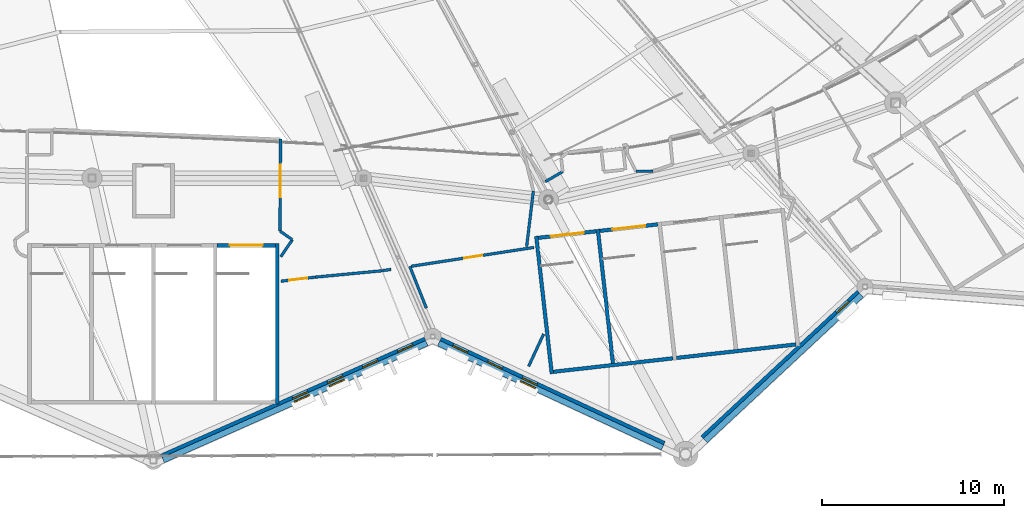
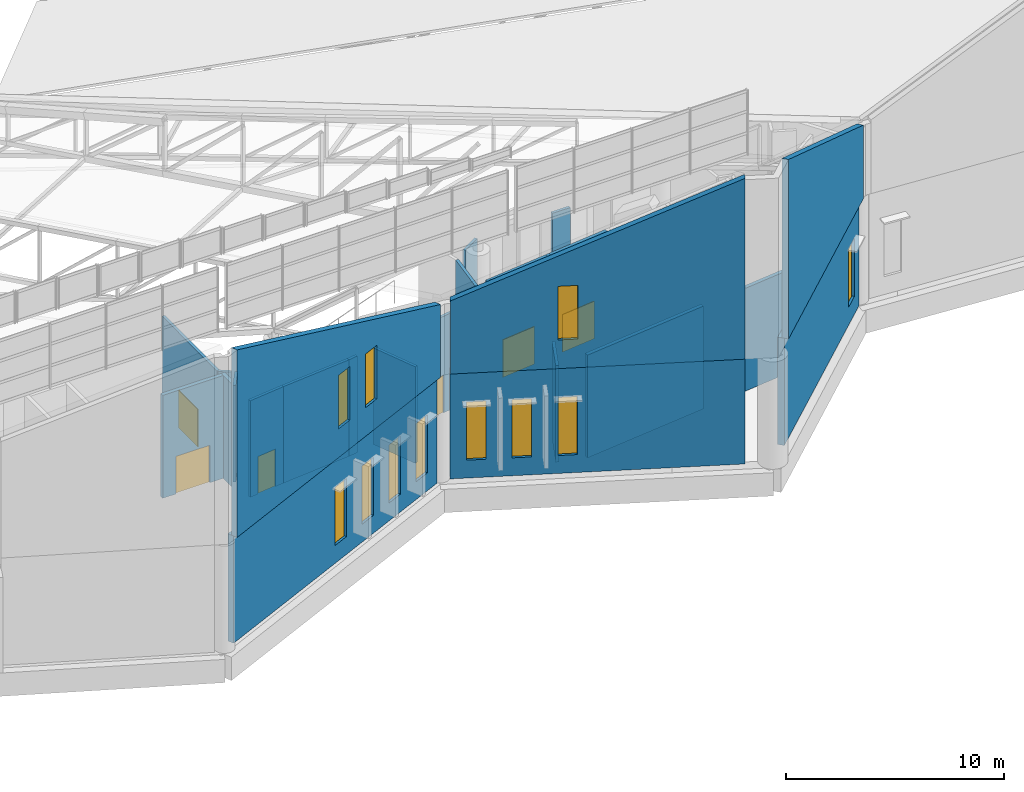
# One storey, part 253 of 344: 26 walls, 11 windows, 6 doors, 17 openings.
"""IFC4 building model written with IfcOpenShell, lengths in metres."""

from ifc_helpers import new_model, si_unit, direction, frame, frame_2d, origin, place, context, subcontext, project, spatial, polyline, rectangle, outline, extrude, material, layer, layer_set, type_object, element, fill, save


model = new_model("IFC4")

# Units and contexts
model_context = context("Model", 3, precision=1e-05, world=origin(), true_north=direction((0.0, 1.0)))
body_context = subcontext(model_context, "Body", "Model", "MODEL_VIEW")
ifc_project = project(units=[si_unit("LENGTHUNIT", "METRE"), si_unit("AREAUNIT", "SQUARE_METRE"), si_unit("VOLUMEUNIT", "CUBIC_METRE"), si_unit("PLANEANGLEUNIT", "RADIAN"), si_unit("MASSUNIT", "GRAM", prefix="KILO")], contexts=[model_context])

# Site, building, storey
site_placement = place(None, origin())
site = spatial("IfcSite", under=ifc_project, at=site_placement, CompositionType="ELEMENT")
building_placement = place(site_placement, origin())
building = spatial("IfcBuilding", under=site, at=building_placement, Name="Meseta Stadium", CompositionType="ELEMENT")
storey_placement = place(building_placement, frame((0.0, 0.0, 24.0)))
storey = spatial("IfcBuildingStorey", under=building, at=storey_placement, Name="L04", CompositionType="ELEMENT", Elevation=24.0)

# Walls
ifc_material_1 = material(Name="Concrete C40/50", Category="concrete")
ifc_layer_1 = layer(ifc_material_1, 0.199951171875)
ifc_layer_set_1 = layer_set([ifc_layer_1], Name="Core divider wall 200")
wall_type_1 = type_object("IfcWallType", Name="Core divider wall 200", PredefinedType="SHEAR", material=ifc_layer_set_1)
wall_1_placement = place(storey_placement, frame((48.241943359375, -100.264892578125, 0.0), z_axis=(0.0, 0.0, 1.0), x_axis=(-0.111954577255, 0.993713325176, 0.0)))
element("IfcWall", 1, at=wall_1_placement, inside=storey, type_object=wall_type_1, Name="Core 26 L04 stair A divider wall", PredefinedType="SHEAR", context=body_context, shape_type="SweptSolid", body=[
    extrude(rectangle(XDim=7.599853515625, YDim=0.199951171875, at=frame_2d((3.7998046875, 0.0))), origin(), (0.0, 0.0, 1.0), 5.75),
])
ifc_material_2 = material(Name="Concrete C40/50", Category="concrete")
ifc_layer_2 = layer(ifc_material_2, 0.199951171875)
ifc_layer_set_2 = layer_set([ifc_layer_2], Name="Core shaft wall 200")
wall_type_2 = type_object("IfcWallType", Name="Core shaft wall 200", PredefinedType="SHEAR", material=ifc_layer_set_2)
wall_2_placement = place(storey_placement, frame((29.800048828125, -102.300048828125, 0.0), z_axis=(0.0, 0.0, 1.0), x_axis=(0.0, 1.0, 0.0)))
element("IfcWall", 2, at=wall_2_placement, inside=storey, type_object=wall_type_2, Name="Core 25 L04 stair wall B-side", PredefinedType="SHEAR", context=body_context, shape_type="SweptSolid", body=[
    extrude(rectangle(XDim=8.800048828125, YDim=0.199951171875, at=frame_2d((4.39990234375, 0.0))), origin(), (0.0, 0.0, 1.0), 5.75),
])

# Wall, opening, door
wall_3_placement = place(storey_placement, frame((26.5, -93.60009765625, 0.0), z_axis=(0.0, 0.0, 1.0), x_axis=(1.0, 0.0, 0.0)))
wall_3 = element("IfcWall", 3, at=wall_3_placement, inside=storey, type_object=wall_type_2, Name="Core 25 L04 stair B2 inner end wall", PredefinedType="SHEAR", context=body_context, shape_type="SweptSolid", body=[
    extrude(rectangle(XDim=3.199951171875, YDim=0.199951171875, at=frame_2d((1.60009765625, 0.0))), origin(), (0.0, 0.0, 1.0), 5.75),
])
opening_1_placement = place(wall_3_placement, frame((0.699951171875, 0.0, 0.0)))
opening_1 = element("IfcOpeningElement", 4, at=opening_1_placement, cuts=wall_3, Name="Opening D1596", PredefinedType="OPENING", context=body_context, shape_type="SweptSolid", body=[
    extrude(rectangle(XDim=1.800048828125, YDim=2.10009765625, at=frame_2d((0.89990234375, 1.050048828125))), frame((0.0, 0.10986328125, 0.0), z_axis=(0.0, -1.0, 0.0), x_axis=(1.0, 0.0, 0.0)), (0.0, 0.0, 1.0), 0.219970703125),
])
ifc_material_3 = material(Name="Steel", Category="steel")
door_type_1 = type_object("IfcDoorType", Name="Stair door 1800x2100", OperationType="DOUBLE_DOOR_SINGLE_SWING", PredefinedType="DOOR", material=ifc_material_3)
door_1_placement = place(opening_1_placement, origin())
door_1 = element("IfcDoor", 5, at=door_1_placement, inside=storey, type_object=door_type_1, Name="Stair B2 door 25 L04", OperationType="DOUBLE_DOOR_SINGLE_SWING", OverallHeight=2.10009765625, OverallWidth=1.800048828125, PredefinedType="DOOR", context=body_context, shape_type="SweptSolid", body=[
    extrude(rectangle(XDim=1.800048828125, YDim=2.10009765625, at=frame_2d((0.89990234375, 1.050048828125))), frame((0.0, 0.02490234375, 0.0), z_axis=(0.0, -1.0, 0.0), x_axis=(1.0, 0.0, 0.0)), (0.0, 0.0, 1.0), 0.050048828125),
])
fill(opening_1, door_1)

# Walls
wall_4_placement = place(storey_placement, frame((44.86328125, -100.645751953125, 0.0), z_axis=(0.0, 0.0, 1.0), x_axis=(-0.111951003472, 0.993713727802, 0.0)))
element("IfcWall", 6, at=wall_4_placement, inside=storey, type_object=wall_type_2, Name="Core 26 L04 stair wall A-side", PredefinedType="SHEAR", context=body_context, shape_type="SweptSolid", body=[
    extrude(rectangle(XDim=7.60009765625, YDim=0.199951171875, at=frame_2d((3.800048828125, 0.0))), origin(), (0.0, 0.0, 1.0), 5.75),
])
for number, where, z_axis, x_axis, name in (
    (7, (44.951416015625, -100.53515625, 0.0), (0.0, 0.0, 1.0), (0.993711575492, 0.111970106426, 0.0), "Core 26 L04 stair A outer end wall"),
    (8, (51.708740234375, -99.773681640625, 0.0), (0.0, 0.0, 1.0), (0.993715690617, 0.111933579504, 0.0), "Core 26 L04 stair B outer end wall"),
):
    element("IfcWall", number, at=place(storey_placement, frame(where, z_axis=z_axis, x_axis=x_axis)), inside=storey, type_object=wall_type_2, Name=name, PredefinedType="SHEAR", context=body_context, shape_type="SweptSolid", body=[
        extrude(rectangle(XDim=6.60009765625, YDim=0.199951171875, at=frame_2d((3.300048828125, 0.0))), origin(), (0.0, 0.0, 1.0), 5.75),
    ])

# Wall, opening, door
wall_5_placement = place(storey_placement, frame((44.123046875, -93.181640625, 0.0), z_axis=(0.0, 0.0, 1.0), x_axis=(0.993717005286, 0.11192190762, 0.0)))
wall_5 = element("IfcWall", 9, at=wall_5_placement, inside=storey, type_object=wall_type_2, Name="Core 26 L04 stair A1 inner end wall", PredefinedType="SHEAR", context=body_context, shape_type="SweptSolid", body=[
    extrude(rectangle(XDim=3.199951171875, YDim=0.199951171875, at=frame_2d((1.60009765625, 0.0))), origin(), (0.0, 0.0, 1.0), 5.75),
])
opening_2_placement = place(wall_5_placement, frame((0.699951171875, 0.0, 0.0)))
opening_2 = element("IfcOpeningElement", 10, at=opening_2_placement, cuts=wall_5, Name="Opening D1605", PredefinedType="OPENING", context=body_context, shape_type="SweptSolid", body=[
    extrude(rectangle(XDim=1.800048828125, YDim=2.10009765625, at=frame_2d((0.89990234375, 1.050048828125))), frame((0.0, 0.10986328125, 0.0), z_axis=(0.0, -1.0, 0.0), x_axis=(1.0, 0.0, 0.0)), (0.0, 0.0, 1.0), 0.219970703125),
])
door_2_placement = place(opening_2_placement, origin())
door_2 = element("IfcDoor", 11, at=door_2_placement, inside=storey, type_object=door_type_1, Name="Stair A1 door 26 L04", OperationType="DOUBLE_DOOR_SINGLE_SWING", OverallHeight=2.10009765625, OverallWidth=1.800048828125, PredefinedType="DOOR", context=body_context, shape_type="SweptSolid", body=[
    extrude(rectangle(XDim=1.800048828125, YDim=2.10009765625, at=frame_2d((0.89990234375, 1.050048828125))), frame((0.0, 0.02490234375, 0.0), z_axis=(0.0, -1.0, 0.0), x_axis=(1.0, 0.0, 0.0)), (0.0, 0.0, 1.0), 0.050048828125),
])
fill(opening_2, door_2)

wall_6_placement = place(storey_placement, frame((47.501708984375, -92.801025390625, 0.0), z_axis=(0.0, 0.0, 1.0), x_axis=(0.993707560215, 0.112005735442, 0.0)))
wall_6 = element("IfcWall", 12, at=wall_6_placement, inside=storey, type_object=wall_type_2, Name="Core 26 L04 stair A2 inner end wall", PredefinedType="SHEAR", context=body_context, shape_type="SweptSolid", body=[
    extrude(rectangle(XDim=3.19970703125, YDim=0.199951171875, at=frame_2d((1.599853515625, 0.0))), origin(), (0.0, 0.0, 1.0), 5.75),
])
opening_3_placement = place(wall_6_placement, frame((0.699951171875, 0.0, 0.0)))
opening_3 = element("IfcOpeningElement", 13, at=opening_3_placement, cuts=wall_6, Name="Opening D1608", PredefinedType="OPENING", context=body_context, shape_type="SweptSolid", body=[
    extrude(rectangle(XDim=1.800048828125, YDim=2.10009765625, at=frame_2d((0.89990234375, 1.050048828125))), frame((0.0, 0.10986328125, 0.0), z_axis=(0.0, -1.0, 0.0), x_axis=(1.0, 0.0, 0.0)), (0.0, 0.0, 1.0), 0.219970703125),
])
door_3_placement = place(opening_3_placement, origin())
door_3 = element("IfcDoor", 14, at=door_3_placement, inside=storey, type_object=door_type_1, Name="Stair A2 door 26 L04", OperationType="DOUBLE_DOOR_SINGLE_SWING", OverallHeight=2.10009765625, OverallWidth=1.800048828125, PredefinedType="DOOR", context=body_context, shape_type="SweptSolid", body=[
    extrude(rectangle(XDim=1.800048828125, YDim=2.10009765625, at=frame_2d((0.89990234375, 1.050048828125))), frame((0.0, 0.02490234375, 0.0), z_axis=(0.0, -1.0, 0.0), x_axis=(1.0, 0.0, 0.0)), (0.0, 0.0, 1.0), 0.050048828125),
])
fill(opening_3, door_3)

# Wall
ifc_material_4 = material(Name="Masonry blockwork", Category="masonry")
ifc_layer_3 = layer(ifc_material_4, 0.14990234375)
ifc_layer_set_3 = layer_set([ifc_layer_3], Name="Partition 150")
wall_type_3 = type_object("IfcWallType", Name="Partition 150", PredefinedType="PARTITIONING", material=ifc_layer_set_3)
wall_7_placement = place(storey_placement, frame((37.9794921875, -97.04150390625, 0.0), z_axis=(0.0, 0.0, 1.0), x_axis=(-0.368804677816, 0.929506917468, 0.0)))
element("IfcWall", 15, at=wall_7_placement, inside=storey, type_object=wall_type_3, Name="Partition L04 L04-cell24-1-0b0", PredefinedType="PARTITIONING", context=body_context, shape_type="SweptSolid", body=[
    extrude(rectangle(XDim=2.459228515625, YDim=0.14990234375, at=frame_2d((1.2294921875, 0.0))), origin(), (0.0, 0.0, 1.0), 5.39990234375),
])

# Wall, opening, door
wall_8_placement = place(storey_placement, frame((37.1484375, -94.743896484375, 0.0), z_axis=(0.0, 0.0, 1.0), x_axis=(0.988411031277, 0.151801295284, 0.0)))
wall_8 = element("IfcWall", 16, at=wall_8_placement, inside=storey, type_object=wall_type_3, Name="Partition L04 L04-cell24-1-0b0", PredefinedType="PARTITIONING", context=body_context, shape_type="SweptSolid", body=[
    extrude(rectangle(XDim=6.81103515625, YDim=0.14990234375, at=frame_2d((3.405517578125, 0.0))), origin(), (0.0, 0.0, 1.0), 5.39990234375),
])
opening_4_placement = place(wall_8_placement, frame((2.949951171875, 0.0, 0.0)))
opening_4 = element("IfcOpeningElement", 17, at=opening_4_placement, cuts=wall_8, Name="Opening D1602", PredefinedType="OPENING", context=body_context, shape_type="SweptSolid", body=[
    extrude(rectangle(XDim=1.0, YDim=2.10009765625, at=frame_2d((0.5, 1.050048828125))), frame((0.0, 0.0849609375, 0.0), z_axis=(0.0, -1.0, 0.0), x_axis=(1.0, 0.0, 0.0)), (0.0, 0.0, 1.0), 0.169921875),
])
ifc_material_5 = material(Name="Timber", Category="wood")
door_type_2 = type_object("IfcDoorType", Name="Room door 1000x2100", OperationType="NOTDEFINED", PredefinedType="DOOR", material=ifc_material_5)
door_4_placement = place(opening_4_placement, origin())
door_4 = element("IfcDoor", 18, at=door_4_placement, inside=storey, type_object=door_type_2, Name="Room door L04 L04-cell24-1-0b0", OperationType="SINGLE_SWING_RIGHT", OverallHeight=2.10009765625, OverallWidth=1.0, PredefinedType="DOOR", context=body_context, shape_type="SweptSolid", body=[
    extrude(rectangle(XDim=1.0, YDim=2.10009765625, at=frame_2d((0.5, 1.050048828125))), frame((0.0, 0.02490234375, 0.0), z_axis=(0.0, -1.0, 0.0), x_axis=(1.0, 0.0, 0.0)), (0.0, 0.0, 1.0), 0.050048828125),
])
fill(opening_4, door_4)

# Wall
wall_9_placement = place(storey_placement, frame((44.416015625, -98.46142578125, 0.0), z_axis=(0.0, 0.0, 1.0), x_axis=(-0.421783332086, -0.906696653118, 0.0)))
element("IfcWall", 19, at=wall_9_placement, inside=storey, type_object=wall_type_3, Name="Partition L04 L04-cell24-1-0b0", PredefinedType="PARTITIONING", context=body_context, shape_type="SweptSolid", body=[
    extrude(rectangle(XDim=1.952880859375, YDim=0.14990234375, at=frame_2d((0.9765625, 0.0))), origin(), (0.0, 0.0, 1.0), 5.39990234375),
])

# Wall, opening, door
wall_10_placement = place(storey_placement, frame((30.0, -95.56298828125, 0.0), z_axis=(0.0, 0.0, 1.0), x_axis=(0.993124293788, 0.117064670536, 0.0)))
wall_10 = element("IfcWall", 20, at=wall_10_placement, inside=storey, type_object=wall_type_3, Name="Partition L04 L04-cell24-1-0w", PredefinedType="PARTITIONING", context=body_context, shape_type="SweptSolid", body=[
    extrude(rectangle(XDim=1.902099609375, YDim=0.14990234375, at=frame_2d((0.951171875, 0.0))), origin(), (0.0, 0.0, 1.0), 5.39990234375),
])
opening_5_placement = place(wall_10_placement, frame((0.449951171875, 0.0, 0.0)))
opening_5 = element("IfcOpeningElement", 21, at=opening_5_placement, cuts=wall_10, Name="Opening D1598", PredefinedType="OPENING", context=body_context, shape_type="SweptSolid", body=[
    extrude(rectangle(XDim=1.0, YDim=2.10009765625, at=frame_2d((0.5, 1.050048828125))), frame((0.0, 0.0849609375, 0.0), z_axis=(0.0, -1.0, 0.0), x_axis=(1.0, 0.0, 0.0)), (0.0, 0.0, 1.0), 0.169921875),
])
door_5_placement = place(opening_5_placement, origin())
door_5 = element("IfcDoor", 22, at=door_5_placement, inside=storey, type_object=door_type_2, Name="Room door L04 L04-cell24-1-0w", OperationType="SINGLE_SWING_RIGHT", OverallHeight=2.10009765625, OverallWidth=1.0, PredefinedType="DOOR", context=body_context, shape_type="SweptSolid", body=[
    extrude(rectangle(XDim=1.0, YDim=2.10009765625, at=frame_2d((0.5, 1.050048828125))), frame((0.0, 0.02490234375, 0.0), z_axis=(0.0, -1.0, 0.0), x_axis=(1.0, 0.0, 0.0)), (0.0, 0.0, 1.0), 0.050048828125),
])
fill(opening_5, door_5)

# Walls
wall_11_placement = place(storey_placement, frame((31.888916015625, -95.34033203125, 0.0), z_axis=(0.0, 0.0, 1.0), x_axis=(0.995436828667, 0.095422849118, 0.0)))
element("IfcWall", 23, at=wall_11_placement, inside=storey, type_object=wall_type_3, Name="Partition L04 L04-cell24-1-0w", PredefinedType="PARTITIONING", context=body_context, shape_type="SweptSolid", body=[
    extrude(rectangle(XDim=3.67919921875, YDim=0.14990234375, at=frame_2d((1.839599609375, 0.0))), origin(), (0.0, 0.0, 1.0), 5.39990234375),
])
wall_12_placement = place(storey_placement, frame((35.55126953125, -94.9892578125, 0.0), z_axis=(0.0, 0.0, 1.0), x_axis=(0.988462484475, 0.151465893143, 0.0)))
element("IfcWall", 24, at=wall_12_placement, inside=storey, type_object=wall_type_3, Name="Partition L04 L04-cell24-1-0w", PredefinedType="PARTITIONING", context=body_context, shape_type="SweptSolid", body=[
    extrude(rectangle(XDim=0.496337890625, YDim=0.14990234375, at=frame_2d((0.248046875, 0.0))), origin(), (0.0, 0.0, 1.0), 5.39990234375),
])
wall_13_placement = place(storey_placement, frame((29.989501953125, -94.2197265625, 0.0), z_axis=(0.0, 0.0, 1.0), x_axis=(0.562570599462, 0.826749248939, 0.0)))
element("IfcWall", 25, at=wall_13_placement, inside=storey, type_object=wall_type_3, Name="Stair vestibule wall L04 core 25", PredefinedType="PARTITIONING", context=body_context, shape_type="SweptSolid", body=[
    extrude(rectangle(XDim=1.12744140625, YDim=0.14990234375, at=frame_2d((0.563720703125, 0.0))), origin(), (0.0, 0.0, 1.0), 5.39990234375),
])
wall_14_placement = place(storey_placement, frame((30.623779296875, -93.28759765625, 0.0), z_axis=(0.0, 0.0, 1.0), x_axis=(-0.817472989818, 0.575966935611, 0.0)))
element("IfcWall", 26, at=wall_14_placement, inside=storey, type_object=wall_type_3, Name="Stair vestibule wall L04 core 25", PredefinedType="PARTITIONING", context=body_context, shape_type="SweptSolid", body=[
    extrude(rectangle(XDim=0.830078125, YDim=0.14990234375, at=frame_2d((0.4150390625, 0.0))), origin(), (0.0, 0.0, 1.0), 5.39990234375),
])

# Wall, opening, door
wall_15_placement = place(storey_placement, frame((29.9453125, -92.8095703125, 0.0), z_axis=(0.0, 0.0, 1.0), x_axis=(0.005947382846, 0.999982314162, 0.0)))
wall_15 = element("IfcWall", 27, at=wall_15_placement, inside=storey, type_object=wall_type_3, Name="Stair vestibule wall L04 core 25", PredefinedType="PARTITIONING", context=body_context, shape_type="SweptSolid", body=[
    extrude(rectangle(XDim=5.049072265625, YDim=0.14990234375, at=frame_2d((2.5244140625, 0.0))), origin(), (0.0, 0.0, 1.0), 5.39990234375),
])
opening_6_placement = place(wall_15_placement, frame((1.85009765625, 0.0, 0.0)))
opening_6 = element("IfcOpeningElement", 28, at=opening_6_placement, cuts=wall_15, Name="Opening D1597", PredefinedType="OPENING", context=body_context, shape_type="SweptSolid", body=[
    extrude(rectangle(XDim=1.800048828125, YDim=2.10009765625, at=frame_2d((0.89990234375, 1.050048828125))), frame((0.0, 0.0849609375, 0.0), z_axis=(0.0, -1.0, 0.0), x_axis=(1.0, 0.0, 0.0)), (0.0, 0.0, 1.0), 0.169921875),
])
ifc_material_6 = material(Name="Steel", Category="steel")
door_type_3 = type_object("IfcDoorType", Name="Fire double door 1800x2100 EI2 60", OperationType="DOUBLE_DOOR_SINGLE_SWING", PredefinedType="DOOR", material=ifc_material_6)
door_6_placement = place(opening_6_placement, origin())
door_6 = element("IfcDoor", 29, at=door_6_placement, inside=storey, type_object=door_type_3, Name="Stair vestibule door L04 core 25", OperationType="DOUBLE_DOOR_SINGLE_SWING", OverallHeight=2.10009765625, OverallWidth=1.800048828125, PredefinedType="DOOR", context=body_context, shape_type="SweptSolid", body=[
    extrude(rectangle(XDim=1.800048828125, YDim=2.10009765625, at=frame_2d((0.89990234375, 1.050048828125))), frame((0.0, 0.02490234375, 0.0), z_axis=(0.0, -1.0, 0.0), x_axis=(1.0, 0.0, 0.0)), (0.0, 0.0, 1.0), 0.050048828125),
])
fill(opening_6, door_6)

# Walls
wall_16_placement = place(storey_placement, frame((50.4150390625, -89.52685546875, 0.0), z_axis=(0.0, 0.0, 1.0), x_axis=(-0.999999966145, 0.000260213366, 0.0)))
element("IfcWall", 30, at=wall_16_placement, inside=storey, type_object=wall_type_3, Name="Stair vestibule wall L04 core 26", PredefinedType="PARTITIONING", context=body_context, shape_type="SweptSolid", body=[
    extrude(rectangle(XDim=0.938232421875, YDim=0.14990234375, at=frame_2d((0.46923828125, 0.0))), origin(), (0.0, 0.0, 1.0), 5.39990234375),
])
wall_17_placement = place(storey_placement, frame((45.460693359375, -89.55078125, 0.0), z_axis=(0.0, 0.0, 1.0), x_axis=(-0.865751418214, -0.50047425694, 0.0)))
element("IfcWall", 31, at=wall_17_placement, inside=storey, type_object=wall_type_3, Name="Stair vestibule wall L04 core 26", PredefinedType="PARTITIONING", context=body_context, shape_type="SweptSolid", body=[
    extrude(rectangle(XDim=1.09619140625, YDim=0.14990234375, at=frame_2d((0.548095703125, 0.0))), origin(), (0.0, 0.0, 1.0), 5.39990234375),
])
wall_18_placement = place(storey_placement, frame((43.85302734375, -90.6083984375, 0.0), z_axis=(0.0, 0.0, 1.0), x_axis=(-0.119824205768, -0.992795124742, 0.0)))
element("IfcWall", 32, at=wall_18_placement, inside=storey, type_object=wall_type_3, Name="Stair vestibule wall L04 core 26", PredefinedType="PARTITIONING", context=body_context, shape_type="SweptSolid", body=[
    extrude(rectangle(XDim=3.07666015625, YDim=0.14990234375, at=frame_2d((1.538330078125, 0.0))), origin(), (0.0, 0.0, 1.0), 5.39990234375),
])

# Wall, openings, windows
ifc_material_7 = material(Name="White precast concrete C40/50", Category="concrete")
ifc_layer_4 = layer(ifc_material_7, 0.320068359375)
ifc_layer_set_4 = layer_set([ifc_layer_4], Name="Pleated fascia panel 320 raked")
wall_type_4 = type_object("IfcWallType", Name="Pleated fascia panel 320 raked", PredefinedType="SOLIDWALL", material=ifc_layer_set_4)
wall_19_placement = place(storey_placement, frame((38.00341796875, -98.965087890625, 6.0), z_axis=(0.0, 0.0, 1.0), x_axis=(-0.914136361455, -0.405406848322, 0.0)))
wall_19 = element("IfcWall", 33, at=wall_19_placement, inside=storey, type_object=wall_type_4, Name="Pleated fascia panel L04 F48", PredefinedType="SOLIDWALL", context=body_context, shape_type="SweptSolid", body=[
    extrude(outline(polyline([(0.0, 0.0), (15.82421875, 0.0), (15.824462890625, 10.487548828125), (0.0, 4.072265625), (0.0, 0.0)])), frame((0.0, 0.16015625, 0.0), z_axis=(0.0, -1.0, 0.0), x_axis=(1.0, 0.0, 0.0)), (0.0, 0.0, 1.0), 0.320068359375),
])
opening_7_placement = place(wall_19_placement, frame((4.950439453125, 0.0, 1.60009765625)))
opening_7 = element("IfcOpeningElement", 34, at=opening_7_placement, cuts=wall_19, Name="Opening W273", PredefinedType="OPENING", context=body_context, shape_type="SweptSolid", body=[
    extrude(rectangle(XDim=0.89990234375, YDim=3.0, at=frame_2d((0.449951171875, 1.5))), frame((0.0, 0.169921875, 0.0), z_axis=(0.0, -1.0, 0.0), x_axis=(1.0, 0.0, 0.0)), (0.0, 0.0, 1.0), 0.340087890625),
])
opening_8_placement = place(wall_19_placement, frame((7.05029296875, 0.0, 1.60009765625)))
opening_8 = element("IfcOpeningElement", 35, at=opening_8_placement, cuts=wall_19, Name="Opening W271", PredefinedType="OPENING", context=body_context, shape_type="SweptSolid", body=[
    extrude(rectangle(XDim=0.89990234375, YDim=3.0, at=frame_2d((0.449951171875, 1.5))), frame((0.0, 0.169921875, 0.0), z_axis=(0.0, -1.0, 0.0), x_axis=(1.0, 0.0, 0.0)), (0.0, 0.0, 1.0), 0.340087890625),
])
ifc_material_8 = material(Name="Aluminium", Category="aluminium")
window_type_1 = type_object("IfcWindowType", Name="Slot window 900x3000", PartitioningType="SINGLE_PANEL", PredefinedType="WINDOW", material=ifc_material_8)
window_1_placement = place(opening_7_placement, origin())
window_1 = element("IfcWindow", 36, at=window_1_placement, inside=storey, type_object=window_type_1, Name="Slot window L04 F48.3", OverallHeight=3.0, OverallWidth=0.89990234375, PartitioningType="SINGLE_PANEL", PredefinedType="WINDOW", context=body_context, shape_type="SweptSolid", body=[
    extrude(rectangle(XDim=0.89990234375, YDim=3.0, at=frame_2d((0.449951171875, 1.5))), frame((0.0, 0.030029296875, 0.0), z_axis=(0.0, -1.0, 0.0), x_axis=(1.0, 0.0, 0.0)), (0.0, 0.0, 1.0), 0.06005859375),
])
fill(opening_7, window_1)
window_2_placement = place(opening_8_placement, origin())
window_2 = element("IfcWindow", 37, at=window_2_placement, inside=storey, type_object=window_type_1, Name="Slot window L04 F48.4", OverallHeight=3.0, OverallWidth=0.89990234375, PartitioningType="SINGLE_PANEL", PredefinedType="WINDOW", context=body_context, shape_type="SweptSolid", body=[
    extrude(rectangle(XDim=0.89990234375, YDim=3.0, at=frame_2d((0.449951171875, 1.5))), frame((0.0, 0.030029296875, 0.0), z_axis=(0.0, -1.0, 0.0), x_axis=(1.0, 0.0, 0.0)), (0.0, 0.0, 1.0), 0.06005859375),
])
fill(opening_8, window_2)

# Wall, opening, window
wall_20_placement = place(storey_placement, frame((50.941162109375, -104.685302734375, 6.0), z_axis=(0.0, 0.0, 1.0), x_axis=(-0.90670540729, 0.421764512958, 0.0)))
wall_20 = element("IfcWall", 38, at=wall_20_placement, inside=storey, type_object=wall_type_4, Name="Pleated fascia panel L04 F49", PredefinedType="SOLIDWALL", context=body_context, shape_type="SweptSolid", body=[
    extrude(outline(polyline([(0.0, 0.0), (13.548583984375, 0.0), (13.548583984375, 4.08984375), (0.0, 10.11279296875), (0.0, 0.0)])), frame((0.0, 0.16015625, 0.0), z_axis=(0.0, -1.0, 0.0), x_axis=(1.0, 0.0, 0.0)), (0.0, 0.0, 1.0), 0.320068359375),
])
opening_9_placement = place(wall_20_placement, frame((7.6982421875, 0.0, 1.60009765625)))
opening_9 = element("IfcOpeningElement", 39, at=opening_9_placement, cuts=wall_20, Name="Opening W278", PredefinedType="OPENING", context=body_context, shape_type="SweptSolid", body=[
    extrude(rectangle(XDim=0.89990234375, YDim=3.0, at=frame_2d((0.449951171875, 1.5))), frame((0.0, 0.169921875, 0.0), z_axis=(0.0, -1.0, 0.0), x_axis=(1.0, 0.0, 0.0)), (0.0, 0.0, 1.0), 0.340087890625),
])
window_3_placement = place(opening_9_placement, origin())
window_3 = element("IfcWindow", 40, at=window_3_placement, inside=storey, type_object=window_type_1, Name="Slot window L04 F49.3", OverallHeight=3.0, OverallWidth=0.89990234375, PartitioningType="SINGLE_PANEL", PredefinedType="WINDOW", context=body_context, shape_type="SweptSolid", body=[
    extrude(rectangle(XDim=0.89990234375, YDim=3.0, at=frame_2d((0.449951171875, 1.5))), frame((0.0, 0.030029296875, 0.0), z_axis=(0.0, -1.0, 0.0), x_axis=(1.0, 0.0, 0.0)), (0.0, 0.0, 1.0), 0.06005859375),
])
fill(opening_9, window_3)

# Wall
wall_21_placement = place(storey_placement, frame((61.859130859375, -96.325439453125, 6.0), z_axis=(0.0, 0.0, 1.0), x_axis=(-0.731551971011, -0.681785680188, 0.0)))
element("IfcWall", 41, at=wall_21_placement, inside=storey, type_object=wall_type_4, Name="Pleated fascia panel L04 F50", PredefinedType="SOLIDWALL", context=body_context, shape_type="SweptSolid", body=[
    extrude(outline(polyline([(0.0, 0.0), (11.71484375, 0.0), (11.71484375, 10.0341796875), (0.0, 4.116943359375), (0.0, 0.0)])), frame((0.0, 0.16015625, 0.0), z_axis=(0.0, -1.0, 0.0), x_axis=(1.0, 0.0, 0.0)), (0.0, 0.0, 1.0), 0.320068359375),
])

# Wall, openings, windows
ifc_material_9 = material(Name="White precast concrete C40/50", Category="concrete")
ifc_layer_5 = layer(ifc_material_9, 0.320068359375)
ifc_layer_set_5 = layer_set([ifc_layer_5], Name="Pleated panel wall 320")
wall_type_5 = type_object("IfcWallType", Name="Pleated panel wall 320", PredefinedType="SOLIDWALL", material=ifc_layer_set_5)
wall_22_placement = place(storey_placement, frame((37.92236328125, -98.7822265625, 0.0), z_axis=(0.0, 0.0, 1.0), x_axis=(-0.914138897099, -0.405401130748, 0.0)))
wall_22 = element("IfcWall", 42, at=wall_22_placement, inside=storey, type_object=wall_type_5, Name="Pleated facade panel L04 F48", PredefinedType="SOLIDWALL", context=body_context, shape_type="SweptSolid", body=[
    extrude(rectangle(XDim=15.824462890625, YDim=0.320068359375, at=frame_2d((7.912109375, 0.0))), origin(), (0.0, 0.0, 1.0), 6.0),
])
opening_10_placement = place(wall_22_placement, frame((0.75048828125, 0.0, 1.0)))
opening_10 = element("IfcOpeningElement", 43, at=opening_10_placement, cuts=wall_22, Name="Opening W275", PredefinedType="OPENING", context=body_context, shape_type="SweptSolid", body=[
    extrude(rectangle(XDim=0.89990234375, YDim=3.25, at=frame_2d((0.449951171875, 1.625))), frame((0.0, 0.169921875, 0.0), z_axis=(0.0, -1.0, 0.0), x_axis=(1.0, 0.0, 0.0)), (0.0, 0.0, 1.0), 0.340087890625),
])
opening_11_placement = place(wall_22_placement, frame((2.850341796875, 0.0, 1.0)))
opening_11 = element("IfcOpeningElement", 44, at=opening_11_placement, cuts=wall_22, Name="Opening W274", PredefinedType="OPENING", context=body_context, shape_type="SweptSolid", body=[
    extrude(rectangle(XDim=0.89990234375, YDim=3.25, at=frame_2d((0.449951171875, 1.625))), frame((0.0, 0.169921875, 0.0), z_axis=(0.0, -1.0, 0.0), x_axis=(1.0, 0.0, 0.0)), (0.0, 0.0, 1.0), 0.340087890625),
])
opening_12_placement = place(wall_22_placement, frame((4.950439453125, 0.0, 1.0)))
opening_12 = element("IfcOpeningElement", 45, at=opening_12_placement, cuts=wall_22, Name="Opening W272", PredefinedType="OPENING", context=body_context, shape_type="SweptSolid", body=[
    extrude(rectangle(XDim=0.89990234375, YDim=3.25, at=frame_2d((0.449951171875, 1.625))), frame((0.0, 0.169921875, 0.0), z_axis=(0.0, -1.0, 0.0), x_axis=(1.0, 0.0, 0.0)), (0.0, 0.0, 1.0), 0.340087890625),
])
opening_13_placement = place(wall_22_placement, frame((7.05029296875, 0.0, 1.0)))
opening_13 = element("IfcOpeningElement", 46, at=opening_13_placement, cuts=wall_22, Name="Opening W270", PredefinedType="OPENING", context=body_context, shape_type="SweptSolid", body=[
    extrude(rectangle(XDim=0.89990234375, YDim=3.25, at=frame_2d((0.449951171875, 1.625))), frame((0.0, 0.169921875, 0.0), z_axis=(0.0, -1.0, 0.0), x_axis=(1.0, 0.0, 0.0)), (0.0, 0.0, 1.0), 0.340087890625),
])
ifc_material_10 = material(Name="Aluminium", Category="aluminium")
window_type_2 = type_object("IfcWindowType", Name="Slot window 900x3250", PartitioningType="SINGLE_PANEL", PredefinedType="WINDOW", material=ifc_material_10)
window_4_placement = place(opening_10_placement, origin())
window_4 = element("IfcWindow", 47, at=window_4_placement, inside=storey, type_object=window_type_2, Name="Slot window L04 F48.1", OverallHeight=3.25, OverallWidth=0.89990234375, PartitioningType="SINGLE_PANEL", PredefinedType="WINDOW", context=body_context, shape_type="SweptSolid", body=[
    extrude(rectangle(XDim=0.89990234375, YDim=3.25, at=frame_2d((0.449951171875, 1.625))), frame((0.0, 0.030029296875, 0.0), z_axis=(0.0, -1.0, 0.0), x_axis=(1.0, 0.0, 0.0)), (0.0, 0.0, 1.0), 0.06005859375),
])
fill(opening_10, window_4)
window_5_placement = place(opening_11_placement, origin())
window_5 = element("IfcWindow", 48, at=window_5_placement, inside=storey, type_object=window_type_2, Name="Slot window L04 F48.2", OverallHeight=3.25, OverallWidth=0.89990234375, PartitioningType="SINGLE_PANEL", PredefinedType="WINDOW", context=body_context, shape_type="SweptSolid", body=[
    extrude(rectangle(XDim=0.89990234375, YDim=3.25, at=frame_2d((0.449951171875, 1.625))), frame((0.0, 0.030029296875, 0.0), z_axis=(0.0, -1.0, 0.0), x_axis=(1.0, 0.0, 0.0)), (0.0, 0.0, 1.0), 0.06005859375),
])
fill(opening_11, window_5)
window_6_placement = place(opening_12_placement, origin())
window_6 = element("IfcWindow", 49, at=window_6_placement, inside=storey, type_object=window_type_2, Name="Slot window L04 F48.3", OverallHeight=3.25, OverallWidth=0.89990234375, PartitioningType="SINGLE_PANEL", PredefinedType="WINDOW", context=body_context, shape_type="SweptSolid", body=[
    extrude(rectangle(XDim=0.89990234375, YDim=3.25, at=frame_2d((0.449951171875, 1.625))), frame((0.0, 0.030029296875, 0.0), z_axis=(0.0, -1.0, 0.0), x_axis=(1.0, 0.0, 0.0)), (0.0, 0.0, 1.0), 0.06005859375),
])
fill(opening_12, window_6)
window_7_placement = place(opening_13_placement, origin())
window_7 = element("IfcWindow", 50, at=window_7_placement, inside=storey, type_object=window_type_2, Name="Slot window L04 F48.4", OverallHeight=3.25, OverallWidth=0.89990234375, PartitioningType="SINGLE_PANEL", PredefinedType="WINDOW", context=body_context, shape_type="SweptSolid", body=[
    extrude(rectangle(XDim=0.89990234375, YDim=3.25, at=frame_2d((0.449951171875, 1.625))), frame((0.0, 0.030029296875, 0.0), z_axis=(0.0, -1.0, 0.0), x_axis=(1.0, 0.0, 0.0)), (0.0, 0.0, 1.0), 0.06005859375),
])
fill(opening_13, window_7)

wall_23_placement = place(storey_placement, frame((51.025634765625, -104.50390625, 0.0), z_axis=(0.0, 0.0, 1.0), x_axis=(-0.90670540729, 0.421764512958, 0.0)))
wall_23 = element("IfcWall", 51, at=wall_23_placement, inside=storey, type_object=wall_type_5, Name="Pleated facade panel L04 F49", PredefinedType="SOLIDWALL", context=body_context, shape_type="SweptSolid", body=[
    extrude(rectangle(XDim=13.548583984375, YDim=0.320068359375, at=frame_2d((6.7744140625, 0.0))), origin(), (0.0, 0.0, 1.0), 6.0),
])
opening_14_placement = place(wall_23_placement, frame((11.898193359375, 0.0, 1.0)))
opening_14 = element("IfcOpeningElement", 52, at=opening_14_placement, cuts=wall_23, Name="Opening W276", PredefinedType="OPENING", context=body_context, shape_type="SweptSolid", body=[
    extrude(rectangle(XDim=0.89990234375, YDim=3.25, at=frame_2d((0.449951171875, 1.625))), frame((0.0, 0.169921875, 0.0), z_axis=(0.0, -1.0, 0.0), x_axis=(1.0, 0.0, 0.0)), (0.0, 0.0, 1.0), 0.340087890625),
])
opening_15_placement = place(wall_23_placement, frame((9.798095703125, 0.0, 1.0)))
opening_15 = element("IfcOpeningElement", 53, at=opening_15_placement, cuts=wall_23, Name="Opening W277", PredefinedType="OPENING", context=body_context, shape_type="SweptSolid", body=[
    extrude(rectangle(XDim=0.89990234375, YDim=3.25, at=frame_2d((0.449951171875, 1.625))), frame((0.0, 0.169921875, 0.0), z_axis=(0.0, -1.0, 0.0), x_axis=(1.0, 0.0, 0.0)), (0.0, 0.0, 1.0), 0.340087890625),
])
opening_16_placement = place(wall_23_placement, frame((7.6982421875, 0.0, 1.0)))
opening_16 = element("IfcOpeningElement", 54, at=opening_16_placement, cuts=wall_23, Name="Opening W279", PredefinedType="OPENING", context=body_context, shape_type="SweptSolid", body=[
    extrude(rectangle(XDim=0.89990234375, YDim=3.25, at=frame_2d((0.449951171875, 1.625))), frame((0.0, 0.169921875, 0.0), z_axis=(0.0, -1.0, 0.0), x_axis=(1.0, 0.0, 0.0)), (0.0, 0.0, 1.0), 0.340087890625),
])
window_8_placement = place(opening_14_placement, origin())
window_8 = element("IfcWindow", 55, at=window_8_placement, inside=storey, type_object=window_type_2, Name="Slot window L04 F49.1", OverallHeight=3.25, OverallWidth=0.89990234375, PartitioningType="SINGLE_PANEL", PredefinedType="WINDOW", context=body_context, shape_type="SweptSolid", body=[
    extrude(rectangle(XDim=0.89990234375, YDim=3.25, at=frame_2d((0.449951171875, 1.625))), frame((0.0, 0.030029296875, 0.0), z_axis=(0.0, -1.0, 0.0), x_axis=(1.0, 0.0, 0.0)), (0.0, 0.0, 1.0), 0.06005859375),
])
fill(opening_14, window_8)
window_9_placement = place(opening_15_placement, origin())
window_9 = element("IfcWindow", 56, at=window_9_placement, inside=storey, type_object=window_type_2, Name="Slot window L04 F49.2", OverallHeight=3.25, OverallWidth=0.89990234375, PartitioningType="SINGLE_PANEL", PredefinedType="WINDOW", context=body_context, shape_type="SweptSolid", body=[
    extrude(rectangle(XDim=0.89990234375, YDim=3.25, at=frame_2d((0.449951171875, 1.625))), frame((0.0, 0.030029296875, 0.0), z_axis=(0.0, -1.0, 0.0), x_axis=(1.0, 0.0, 0.0)), (0.0, 0.0, 1.0), 0.06005859375),
])
fill(opening_15, window_9)
window_10_placement = place(opening_16_placement, origin())
window_10 = element("IfcWindow", 57, at=window_10_placement, inside=storey, type_object=window_type_2, Name="Slot window L04 F49.3", OverallHeight=3.25, OverallWidth=0.89990234375, PartitioningType="SINGLE_PANEL", PredefinedType="WINDOW", context=body_context, shape_type="SweptSolid", body=[
    extrude(rectangle(XDim=0.89990234375, YDim=3.25, at=frame_2d((0.449951171875, 1.625))), frame((0.0, 0.030029296875, 0.0), z_axis=(0.0, -1.0, 0.0), x_axis=(1.0, 0.0, 0.0)), (0.0, 0.0, 1.0), 0.06005859375),
])
fill(opening_16, window_10)

# Wall, opening, window
wall_24_placement = place(storey_placement, frame((61.72265625, -96.17919921875, 0.0), z_axis=(0.0, 0.0, 1.0), x_axis=(-0.731542283625, -0.681796074548, 0.0)))
wall_24 = element("IfcWall", 58, at=wall_24_placement, inside=storey, type_object=wall_type_5, Name="Pleated facade panel L04 F50", PredefinedType="SOLIDWALL", context=body_context, shape_type="SweptSolid", body=[
    extrude(rectangle(XDim=11.71484375, YDim=0.320068359375, at=frame_2d((5.857421875, 0.0))), origin(), (0.0, 0.0, 1.0), 6.0),
])
opening_17_placement = place(wall_24_placement, frame((0.75048828125, 0.0, 1.0)))
opening_17 = element("IfcOpeningElement", 59, at=opening_17_placement, cuts=wall_24, Name="Opening W281", PredefinedType="OPENING", context=body_context, shape_type="SweptSolid", body=[
    extrude(rectangle(XDim=0.89990234375, YDim=3.25, at=frame_2d((0.449951171875, 1.625))), frame((0.0, 0.169921875, 0.0), z_axis=(0.0, -1.0, 0.0), x_axis=(1.0, 0.0, 0.0)), (0.0, 0.0, 1.0), 0.340087890625),
])
window_11_placement = place(opening_17_placement, origin())
window_11 = element("IfcWindow", 60, at=window_11_placement, inside=storey, type_object=window_type_2, Name="Slot window L04 F50.1", OverallHeight=3.25, OverallWidth=0.89990234375, PartitioningType="SINGLE_PANEL", PredefinedType="WINDOW", context=body_context, shape_type="SweptSolid", body=[
    extrude(rectangle(XDim=0.89990234375, YDim=3.25, at=frame_2d((0.449951171875, 1.625))), frame((0.0, 0.030029296875, 0.0), z_axis=(0.0, -1.0, 0.0), x_axis=(1.0, 0.0, 0.0)), (0.0, 0.0, 1.0), 0.06005859375),
])
fill(opening_17, window_11)

save(model, "model.ifc")
